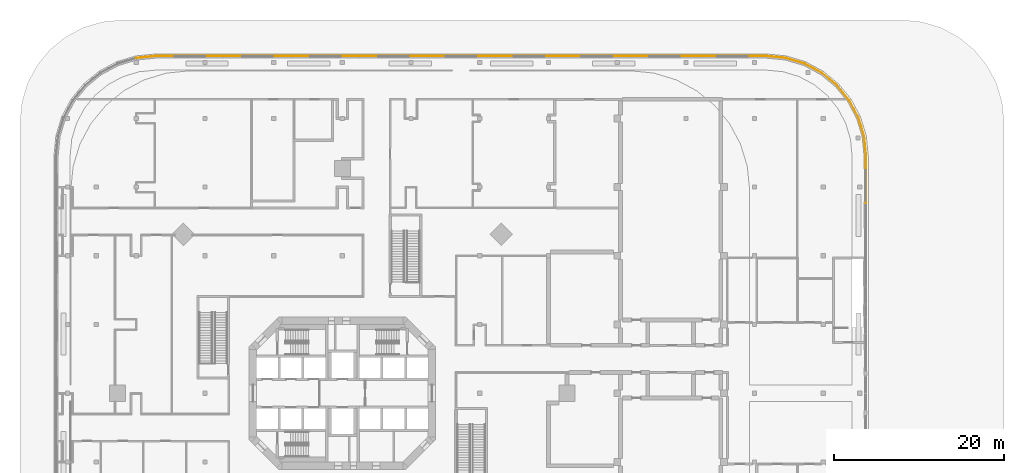
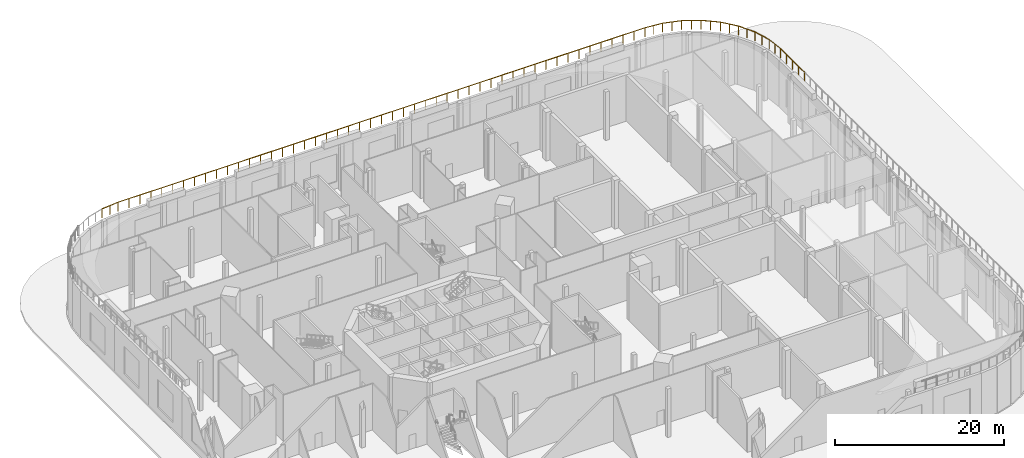
# One storey, part 21 of 21: 22 railings.
"""IFC4 building model written with IfcOpenShell, lengths in metres."""

from ifc_helpers import new_model, si_unit, direction, frame, origin, origin_2d, place, context, subcontext, project, spatial, rectangle, extrude, material, type_object, element, save


model = new_model("IFC4")

# Units and contexts
model_context = context("Model", 3, precision=1e-05, world=origin(), true_north=direction((0.0, 1.0)))
body_context = subcontext(model_context, "Body", "Model", "MODEL_VIEW")
ifc_project = project(units=[si_unit("LENGTHUNIT", "METRE"), si_unit("AREAUNIT", "SQUARE_METRE"), si_unit("VOLUMEUNIT", "CUBIC_METRE"), si_unit("PLANEANGLEUNIT", "RADIAN"), si_unit("MASSUNIT", "GRAM", prefix="KILO")], contexts=[model_context])

# Site, building, storey
site_placement = place(None, origin())
site = spatial("IfcSite", under=ifc_project, at=site_placement, CompositionType="ELEMENT")
building_placement = place(site_placement, origin())
building = spatial("IfcBuilding", under=site, at=building_placement, Name="Torre Triforio", CompositionType="ELEMENT")
storey_placement = place(building_placement, frame((0.0, 0.0, 6.0)))
storey = spatial("IfcBuildingStorey", under=building, at=storey_placement, Name="L01", CompositionType="ELEMENT", Elevation=6.0)

# Railings
ifc_material = material(Name="Stainless steel AISI 316", Category="steel")
railing_type = type_object("IfcRailingType", Name="Terrace balustrade 1300", PredefinedType="BALUSTRADE", material=ifc_material)
railing_1_placement = place(storey_placement, frame((61.75, 22.39013671875, 7.0)))
element("IfcRailing", 1, at=railing_1_placement, inside=storey, type_object=railing_type, Name="Terrace T2 balustrade 09.10", PredefinedType="BALUSTRADE", context=body_context, shape_type="SweptSolid", body=[
    extrude(rectangle(XDim=0.050048828125, YDim=0.050048828125, at=origin_2d()), frame((0.0, 0.0, 1.27490234375), z_axis=(0.0, 1.0, 0.0), x_axis=(-1.0, 0.0, 0.0)), (0.0, 0.0, 1.0), 5.59765625),
    extrude(rectangle(XDim=0.0400390625, YDim=0.0400390625, at=origin_2d()), origin(), (0.0, 0.0, 1.0), 1.25),
    extrude(rectangle(XDim=0.0400390625, YDim=0.0400390625, at=origin_2d()), frame((0.0, 1.3994140625, 0.0)), (0.0, 0.0, 1.0), 1.25),
    extrude(rectangle(XDim=0.0400390625, YDim=0.0400390625, at=origin_2d()), frame((0.0, 2.798828125, 0.0)), (0.0, 0.0, 1.0), 1.25),
    extrude(rectangle(XDim=0.0400390625, YDim=0.0400390625, at=origin_2d()), frame((0.0, 4.1982421875, 0.0)), (0.0, 0.0, 1.0), 1.25),
    extrude(rectangle(XDim=0.0400390625, YDim=0.0400390625, at=origin_2d()), frame((0.0, 5.59765625, 0.0)), (0.0, 0.0, 1.0), 1.25),
])
railing_2_placement = place(storey_placement, frame((61.75, 27.98779296875, 7.0)))
element("IfcRailing", 2, at=railing_2_placement, inside=storey, type_object=railing_type, Name="Terrace T2 balustrade 10", PredefinedType="BALUSTRADE", context=body_context, shape_type="SweptSolid", body=[
    extrude(rectangle(XDim=0.050048828125, YDim=0.050048828125, at=origin_2d()), frame((0.0, 0.0, 1.27490234375), z_axis=(-0.098062895086, 0.99518021916, 0.0), x_axis=(-0.99518021916, -0.098062895086, 0.0)), (0.0, 0.0, 1.0), 2.3154296875),
    extrude(rectangle(XDim=0.0400390625, YDim=0.0400390625, at=origin_2d()), origin(), (0.0, 0.0, 1.0), 1.25),
    extrude(rectangle(XDim=0.0400390625, YDim=0.0400390625, at=origin_2d()), frame((-0.113525390625, 1.152099609375, 0.0)), (0.0, 0.0, 1.0), 1.25),
    extrude(rectangle(XDim=0.0400390625, YDim=0.0400390625, at=origin_2d()), frame((-0.22705078125, 2.30419921875, 0.0)), (0.0, 0.0, 1.0), 1.25),
])
railing_3_placement = place(storey_placement, frame((61.52294921875, 30.2919921875, 7.0)))
element("IfcRailing", 3, at=railing_3_placement, inside=storey, type_object=railing_type, Name="Terrace T2 balustrade 11", PredefinedType="BALUSTRADE", context=body_context, shape_type="SweptSolid", body=[
    extrude(rectangle(XDim=0.050048828125, YDim=0.050048828125, at=origin_2d()), frame((0.0, 0.0, 1.27490234375), z_axis=(-0.290225091232, 0.956958408929, 0.0), x_axis=(-0.956958408929, -0.290225091232, 0.0)), (0.0, 0.0, 1.0), 2.30322265625),
    extrude(rectangle(XDim=0.0400390625, YDim=0.0400390625, at=origin_2d()), origin(), (0.0, 0.0, 1.0), 1.25),
    extrude(rectangle(XDim=0.0400390625, YDim=0.0400390625, at=origin_2d()), frame((-0.334228515625, 1.10205078125, 0.0)), (0.0, 0.0, 1.0), 1.25),
    extrude(rectangle(XDim=0.0400390625, YDim=0.0400390625, at=origin_2d()), frame((-0.66845703125, 2.2041015625, 0.0)), (0.0, 0.0, 1.0), 1.25),
])
railing_4_placement = place(storey_placement, frame((60.8544921875, 32.49609375, 7.0)))
element("IfcRailing", 4, at=railing_4_placement, inside=storey, type_object=railing_type, Name="Terrace T2 balustrade 12", PredefinedType="BALUSTRADE", context=body_context, shape_type="SweptSolid", body=[
    extrude(rectangle(XDim=0.050048828125, YDim=0.050048828125, at=origin_2d()), frame((0.0, 0.0, 1.27490234375), z_axis=(-0.471385800251, 0.881927109982, 0.0), x_axis=(-0.881927109982, -0.471385800251, 0.0)), (0.0, 0.0, 1.0), 2.30322265625),
    extrude(rectangle(XDim=0.0400390625, YDim=0.0400390625, at=origin_2d()), origin(), (0.0, 0.0, 1.0), 1.25),
    extrude(rectangle(XDim=0.0400390625, YDim=0.0400390625, at=origin_2d()), frame((-0.54296875, 1.015625, 0.0)), (0.0, 0.0, 1.0), 1.25),
    extrude(rectangle(XDim=0.0400390625, YDim=0.0400390625, at=origin_2d()), frame((-1.085693359375, 2.03125, 0.0)), (0.0, 0.0, 1.0), 1.25),
])
railing_5_placement = place(storey_placement, frame((59.768798828125, 34.52734375, 7.0)))
element("IfcRailing", 5, at=railing_5_placement, inside=storey, type_object=railing_type, Name="Terrace T2 balustrade 13", PredefinedType="BALUSTRADE", context=body_context, shape_type="SweptSolid", body=[
    extrude(rectangle(XDim=0.050048828125, YDim=0.050048828125, at=origin_2d()), frame((0.0, 0.0, 1.27490234375), z_axis=(-0.634431938273, 0.772978729137, 0.0), x_axis=(-0.772978729137, -0.634431938273, 0.0)), (0.0, 0.0, 1.0), 2.30322265625),
    extrude(rectangle(XDim=0.0400390625, YDim=0.0400390625, at=origin_2d()), origin(), (0.0, 0.0, 1.0), 1.25),
    extrude(rectangle(XDim=0.0400390625, YDim=0.0400390625, at=origin_2d()), frame((-0.73046875, 0.89013671875, 0.0)), (0.0, 0.0, 1.0), 1.25),
    extrude(rectangle(XDim=0.0400390625, YDim=0.0400390625, at=origin_2d()), frame((-1.461181640625, 1.7802734375, 0.0)), (0.0, 0.0, 1.0), 1.25),
])
railing_6_placement = place(storey_placement, frame((58.3076171875, 36.3076171875, 7.0)))
element("IfcRailing", 6, at=railing_6_placement, inside=storey, type_object=railing_type, Name="Terrace T2 balustrade 14", PredefinedType="BALUSTRADE", context=body_context, shape_type="SweptSolid", body=[
    extrude(rectangle(XDim=0.050048828125, YDim=0.050048828125, at=origin_2d()), frame((0.0, 0.0, 1.27490234375), z_axis=(-0.772978729137, 0.634431938273, 0.0), x_axis=(-0.634431938273, -0.772978729137, 0.0)), (0.0, 0.0, 1.0), 2.30322265625),
    extrude(rectangle(XDim=0.0400390625, YDim=0.0400390625, at=origin_2d()), origin(), (0.0, 0.0, 1.0), 1.25),
    extrude(rectangle(XDim=0.0400390625, YDim=0.0400390625, at=origin_2d()), frame((-0.89013671875, 0.73046875, 0.0)), (0.0, 0.0, 1.0), 1.25),
    extrude(rectangle(XDim=0.0400390625, YDim=0.0400390625, at=origin_2d()), frame((-1.7802734375, 1.461181640625, 0.0)), (0.0, 0.0, 1.0), 1.25),
])
railing_7_placement = place(storey_placement, frame((56.52734375, 37.768798828125, 7.0)))
element("IfcRailing", 7, at=railing_7_placement, inside=storey, type_object=railing_type, Name="Terrace T2 balustrade 15", PredefinedType="BALUSTRADE", context=body_context, shape_type="SweptSolid", body=[
    extrude(rectangle(XDim=0.050048828125, YDim=0.050048828125, at=origin_2d()), frame((0.0, 0.0, 1.27490234375), z_axis=(-0.881927109982, 0.471385800251, 0.0), x_axis=(-0.471385800251, -0.881927109982, 0.0)), (0.0, 0.0, 1.0), 2.30322265625),
    extrude(rectangle(XDim=0.0400390625, YDim=0.0400390625, at=origin_2d()), origin(), (0.0, 0.0, 1.0), 1.25),
    extrude(rectangle(XDim=0.0400390625, YDim=0.0400390625, at=origin_2d()), frame((-1.015625, 0.54296875, 0.0)), (0.0, 0.0, 1.0), 1.25),
    extrude(rectangle(XDim=0.0400390625, YDim=0.0400390625, at=origin_2d()), frame((-2.03125, 1.085693359375, 0.0)), (0.0, 0.0, 1.0), 1.25),
])
railing_8_placement = place(storey_placement, frame((54.49609375, 38.8544921875, 7.0)))
element("IfcRailing", 8, at=railing_8_placement, inside=storey, type_object=railing_type, Name="Terrace T2 balustrade 16", PredefinedType="BALUSTRADE", context=body_context, shape_type="SweptSolid", body=[
    extrude(rectangle(XDim=0.050048828125, YDim=0.050048828125, at=origin_2d()), frame((0.0, 0.0, 1.27490234375), z_axis=(-0.956958408929, 0.290225091232, 0.0), x_axis=(-0.290225091232, -0.956958408929, 0.0)), (0.0, 0.0, 1.0), 2.30322265625),
    extrude(rectangle(XDim=0.0400390625, YDim=0.0400390625, at=origin_2d()), origin(), (0.0, 0.0, 1.0), 1.25),
    extrude(rectangle(XDim=0.0400390625, YDim=0.0400390625, at=origin_2d()), frame((-1.10205078125, 0.334228515625, 0.0)), (0.0, 0.0, 1.0), 1.25),
    extrude(rectangle(XDim=0.0400390625, YDim=0.0400390625, at=origin_2d()), frame((-2.2041015625, 0.66845703125, 0.0)), (0.0, 0.0, 1.0), 1.25),
])
railing_9_placement = place(storey_placement, frame((52.2919921875, 39.52294921875, 7.0)))
element("IfcRailing", 9, at=railing_9_placement, inside=storey, type_object=railing_type, Name="Terrace T2 balustrade 17", PredefinedType="BALUSTRADE", context=body_context, shape_type="SweptSolid", body=[
    extrude(rectangle(XDim=0.050048828125, YDim=0.050048828125, at=origin_2d()), frame((0.0, 0.0, 1.27490234375), z_axis=(-0.99518021916, 0.098062895086, 0.0), x_axis=(-0.098062895086, -0.99518021916, 0.0)), (0.0, 0.0, 1.0), 2.3154296875),
    extrude(rectangle(XDim=0.0400390625, YDim=0.0400390625, at=origin_2d()), origin(), (0.0, 0.0, 1.0), 1.25),
    extrude(rectangle(XDim=0.0400390625, YDim=0.0400390625, at=origin_2d()), frame((-1.152099609375, 0.113525390625, 0.0)), (0.0, 0.0, 1.0), 1.25),
    extrude(rectangle(XDim=0.0400390625, YDim=0.0400390625, at=origin_2d()), frame((-2.30419921875, 0.22705078125, 0.0)), (0.0, 0.0, 1.0), 1.25),
])
for number, where, name in (
    (10, (49.98779296875, 39.75, 7.0), "Terrace T2 balustrade 18.1"),
    (11, (43.98974609375, 39.75, 7.0), "Terrace T2 balustrade 18.2"),
):
    element("IfcRailing", number, at=place(storey_placement, frame(where)), inside=storey, type_object=railing_type, Name=name, PredefinedType="BALUSTRADE", context=body_context, shape_type="SweptSolid", body=[
        extrude(rectangle(XDim=0.050048828125, YDim=0.050048828125, at=origin_2d()), frame((0.0, 0.0, 1.27490234375), z_axis=(-1.0, 0.0, 0.0), x_axis=(0.0, -1.0, 0.0)), (0.0, 0.0, 1.0), 5.998046875),
        extrude(rectangle(XDim=0.0400390625, YDim=0.0400390625, at=origin_2d()), origin(), (0.0, 0.0, 1.0), 1.25),
        extrude(rectangle(XDim=0.0400390625, YDim=0.0400390625, at=origin_2d()), frame((-1.49951171875, 0.0, 0.0)), (0.0, 0.0, 1.0), 1.25),
        extrude(rectangle(XDim=0.0400390625, YDim=0.0400390625, at=origin_2d()), frame((-2.9990234375, 0.0, 0.0)), (0.0, 0.0, 1.0), 1.25),
        extrude(rectangle(XDim=0.0400390625, YDim=0.0400390625, at=origin_2d()), frame((-4.49853515625, 0.0, 0.0)), (0.0, 0.0, 1.0), 1.25),
        extrude(rectangle(XDim=0.0400390625, YDim=0.0400390625, at=origin_2d()), frame((-5.998046875, 0.0, 0.0)), (0.0, 0.0, 1.0), 1.25),
    ])
railing_10_placement = place(storey_placement, frame((37.99169921875, 39.75, 7.0)))
element("IfcRailing", 12, at=railing_10_placement, inside=storey, type_object=railing_type, Name="Terrace T2 balustrade 18.3", PredefinedType="BALUSTRADE", context=body_context, shape_type="SweptSolid", body=[
    extrude(rectangle(XDim=0.050048828125, YDim=0.050048828125, at=origin_2d()), frame((0.0, 0.0, 1.27490234375), z_axis=(-1.0, 0.0, 0.0), x_axis=(0.0, -1.0, 0.0)), (0.0, 0.0, 1.0), 5.997802734375),
    extrude(rectangle(XDim=0.0400390625, YDim=0.0400390625, at=origin_2d()), origin(), (0.0, 0.0, 1.0), 1.25),
    extrude(rectangle(XDim=0.0400390625, YDim=0.0400390625, at=origin_2d()), frame((-1.49951171875, 0.0, 0.0)), (0.0, 0.0, 1.0), 1.25),
    extrude(rectangle(XDim=0.0400390625, YDim=0.0400390625, at=origin_2d()), frame((-2.9990234375, 0.0, 0.0)), (0.0, 0.0, 1.0), 1.25),
    extrude(rectangle(XDim=0.0400390625, YDim=0.0400390625, at=origin_2d()), frame((-4.498291015625, 0.0, 0.0)), (0.0, 0.0, 1.0), 1.25),
    extrude(rectangle(XDim=0.0400390625, YDim=0.0400390625, at=origin_2d()), frame((-5.997802734375, 0.0, 0.0)), (0.0, 0.0, 1.0), 1.25),
])
railing_11_placement = place(storey_placement, frame((31.993896484375, 39.75, 7.0)))
element("IfcRailing", 13, at=railing_11_placement, inside=storey, type_object=railing_type, Name="Terrace T2 balustrade 18.4", PredefinedType="BALUSTRADE", context=body_context, shape_type="SweptSolid", body=[
    extrude(rectangle(XDim=0.050048828125, YDim=0.050048828125, at=origin_2d()), frame((0.0, 0.0, 1.27490234375), z_axis=(-1.0, 0.0, 0.0), x_axis=(0.0, -1.0, 0.0)), (0.0, 0.0, 1.0), 5.998046875),
    extrude(rectangle(XDim=0.0400390625, YDim=0.0400390625, at=origin_2d()), origin(), (0.0, 0.0, 1.0), 1.25),
    extrude(rectangle(XDim=0.0400390625, YDim=0.0400390625, at=origin_2d()), frame((-1.49951171875, 0.0, 0.0)), (0.0, 0.0, 1.0), 1.25),
    extrude(rectangle(XDim=0.0400390625, YDim=0.0400390625, at=origin_2d()), frame((-2.9990234375, 0.0, 0.0)), (0.0, 0.0, 1.0), 1.25),
    extrude(rectangle(XDim=0.0400390625, YDim=0.0400390625, at=origin_2d()), frame((-4.49853515625, 0.0, 0.0)), (0.0, 0.0, 1.0), 1.25),
    extrude(rectangle(XDim=0.0400390625, YDim=0.0400390625, at=origin_2d()), frame((-5.998046875, 0.0, 0.0)), (0.0, 0.0, 1.0), 1.25),
])
railing_12_placement = place(storey_placement, frame((25.995849609375, 39.75, 7.0)))
element("IfcRailing", 14, at=railing_12_placement, inside=storey, type_object=railing_type, Name="Terrace T2 balustrade 18.5", PredefinedType="BALUSTRADE", context=body_context, shape_type="SweptSolid", body=[
    extrude(rectangle(XDim=0.050048828125, YDim=0.050048828125, at=origin_2d()), frame((0.0, 0.0, 1.27490234375), z_axis=(-1.0, 0.0, 0.0), x_axis=(0.0, -1.0, 0.0)), (0.0, 0.0, 1.0), 5.997802734375),
    extrude(rectangle(XDim=0.0400390625, YDim=0.0400390625, at=origin_2d()), origin(), (0.0, 0.0, 1.0), 1.25),
    extrude(rectangle(XDim=0.0400390625, YDim=0.0400390625, at=origin_2d()), frame((-1.49951171875, 0.0, 0.0)), (0.0, 0.0, 1.0), 1.25),
    extrude(rectangle(XDim=0.0400390625, YDim=0.0400390625, at=origin_2d()), frame((-2.9990234375, 0.0, 0.0)), (0.0, 0.0, 1.0), 1.25),
    extrude(rectangle(XDim=0.0400390625, YDim=0.0400390625, at=origin_2d()), frame((-4.498291015625, 0.0, 0.0)), (0.0, 0.0, 1.0), 1.25),
    extrude(rectangle(XDim=0.0400390625, YDim=0.0400390625, at=origin_2d()), frame((-5.997802734375, 0.0, 0.0)), (0.0, 0.0, 1.0), 1.25),
])
for number, where, name in (
    (15, (19.998046875, 39.75, 7.0), "Terrace T2 balustrade 18.6"),
    (16, (14.0, 39.75, 7.0), "Terrace T2 balustrade 18.7"),
):
    element("IfcRailing", number, at=place(storey_placement, frame(where)), inside=storey, type_object=railing_type, Name=name, PredefinedType="BALUSTRADE", context=body_context, shape_type="SweptSolid", body=[
        extrude(rectangle(XDim=0.050048828125, YDim=0.050048828125, at=origin_2d()), frame((0.0, 0.0, 1.27490234375), z_axis=(-1.0, 0.0, 0.0), x_axis=(0.0, -1.0, 0.0)), (0.0, 0.0, 1.0), 5.998046875),
        extrude(rectangle(XDim=0.0400390625, YDim=0.0400390625, at=origin_2d()), origin(), (0.0, 0.0, 1.0), 1.25),
        extrude(rectangle(XDim=0.0400390625, YDim=0.0400390625, at=origin_2d()), frame((-1.49951171875, 0.0, 0.0)), (0.0, 0.0, 1.0), 1.25),
        extrude(rectangle(XDim=0.0400390625, YDim=0.0400390625, at=origin_2d()), frame((-2.9990234375, 0.0, 0.0)), (0.0, 0.0, 1.0), 1.25),
        extrude(rectangle(XDim=0.0400390625, YDim=0.0400390625, at=origin_2d()), frame((-4.49853515625, 0.0, 0.0)), (0.0, 0.0, 1.0), 1.25),
        extrude(rectangle(XDim=0.0400390625, YDim=0.0400390625, at=origin_2d()), frame((-5.998046875, 0.0, 0.0)), (0.0, 0.0, 1.0), 1.25),
    ])
railing_13_placement = place(storey_placement, frame((8.001953125, 39.75, 7.0)))
element("IfcRailing", 17, at=railing_13_placement, inside=storey, type_object=railing_type, Name="Terrace T2 balustrade 18.8", PredefinedType="BALUSTRADE", context=body_context, shape_type="SweptSolid", body=[
    extrude(rectangle(XDim=0.050048828125, YDim=0.050048828125, at=origin_2d()), frame((0.0, 0.0, 1.27490234375), z_axis=(-1.0, 0.0, 0.0), x_axis=(0.0, -1.0, 0.0)), (0.0, 0.0, 1.0), 5.997802734375),
    extrude(rectangle(XDim=0.0400390625, YDim=0.0400390625, at=origin_2d()), origin(), (0.0, 0.0, 1.0), 1.25),
    extrude(rectangle(XDim=0.0400390625, YDim=0.0400390625, at=origin_2d()), frame((-1.49951171875, 0.0, 0.0)), (0.0, 0.0, 1.0), 1.25),
    extrude(rectangle(XDim=0.0400390625, YDim=0.0400390625, at=origin_2d()), frame((-2.9990234375, 0.0, 0.0)), (0.0, 0.0, 1.0), 1.25),
    extrude(rectangle(XDim=0.0400390625, YDim=0.0400390625, at=origin_2d()), frame((-4.498291015625, 0.0, 0.0)), (0.0, 0.0, 1.0), 1.25),
    extrude(rectangle(XDim=0.0400390625, YDim=0.0400390625, at=origin_2d()), frame((-5.997802734375, 0.0, 0.0)), (0.0, 0.0, 1.0), 1.25),
])
railing_14_placement = place(storey_placement, frame((2.004150390625, 39.75, 7.0)))
element("IfcRailing", 18, at=railing_14_placement, inside=storey, type_object=railing_type, Name="Terrace T2 balustrade 18.9", PredefinedType="BALUSTRADE", context=body_context, shape_type="SweptSolid", body=[
    extrude(rectangle(XDim=0.050048828125, YDim=0.050048828125, at=origin_2d()), frame((0.0, 0.0, 1.27490234375), z_axis=(-1.0, 0.0, 0.0), x_axis=(0.0, -1.0, 0.0)), (0.0, 0.0, 1.0), 5.998046875),
    extrude(rectangle(XDim=0.0400390625, YDim=0.0400390625, at=origin_2d()), origin(), (0.0, 0.0, 1.0), 1.25),
    extrude(rectangle(XDim=0.0400390625, YDim=0.0400390625, at=origin_2d()), frame((-1.49951171875, 0.0, 0.0)), (0.0, 0.0, 1.0), 1.25),
    extrude(rectangle(XDim=0.0400390625, YDim=0.0400390625, at=origin_2d()), frame((-2.9990234375, 0.0, 0.0)), (0.0, 0.0, 1.0), 1.25),
    extrude(rectangle(XDim=0.0400390625, YDim=0.0400390625, at=origin_2d()), frame((-4.49853515625, 0.0, 0.0)), (0.0, 0.0, 1.0), 1.25),
    extrude(rectangle(XDim=0.0400390625, YDim=0.0400390625, at=origin_2d()), frame((-5.998046875, 0.0, 0.0)), (0.0, 0.0, 1.0), 1.25),
])
railing_15_placement = place(storey_placement, frame((-3.993896484375, 39.75, 7.0)))
element("IfcRailing", 19, at=railing_15_placement, inside=storey, type_object=railing_type, Name="Terrace T2 balustrade 18.10", PredefinedType="BALUSTRADE", context=body_context, shape_type="SweptSolid", body=[
    extrude(rectangle(XDim=0.050048828125, YDim=0.050048828125, at=origin_2d()), frame((0.0, 0.0, 1.27490234375), z_axis=(-1.0, 0.0, 0.0), x_axis=(0.0, -1.0, 0.0)), (0.0, 0.0, 1.0), 5.997802734375),
    extrude(rectangle(XDim=0.0400390625, YDim=0.0400390625, at=origin_2d()), origin(), (0.0, 0.0, 1.0), 1.25),
    extrude(rectangle(XDim=0.0400390625, YDim=0.0400390625, at=origin_2d()), frame((-1.49951171875, 0.0, 0.0)), (0.0, 0.0, 1.0), 1.25),
    extrude(rectangle(XDim=0.0400390625, YDim=0.0400390625, at=origin_2d()), frame((-2.9990234375, 0.0, 0.0)), (0.0, 0.0, 1.0), 1.25),
    extrude(rectangle(XDim=0.0400390625, YDim=0.0400390625, at=origin_2d()), frame((-4.498291015625, 0.0, 0.0)), (0.0, 0.0, 1.0), 1.25),
    extrude(rectangle(XDim=0.0400390625, YDim=0.0400390625, at=origin_2d()), frame((-5.997802734375, 0.0, 0.0)), (0.0, 0.0, 1.0), 1.25),
])
for number, where, name in (
    (20, (-9.99169921875, 39.75, 7.0), "Terrace T2 balustrade 18.11"),
    (21, (-15.98974609375, 39.75, 7.0), "Terrace T2 balustrade 18.12"),
):
    element("IfcRailing", number, at=place(storey_placement, frame(where)), inside=storey, type_object=railing_type, Name=name, PredefinedType="BALUSTRADE", context=body_context, shape_type="SweptSolid", body=[
        extrude(rectangle(XDim=0.050048828125, YDim=0.050048828125, at=origin_2d()), frame((0.0, 0.0, 1.27490234375), z_axis=(-1.0, 0.0, 0.0), x_axis=(0.0, -1.0, 0.0)), (0.0, 0.0, 1.0), 5.998046875),
        extrude(rectangle(XDim=0.0400390625, YDim=0.0400390625, at=origin_2d()), origin(), (0.0, 0.0, 1.0), 1.25),
        extrude(rectangle(XDim=0.0400390625, YDim=0.0400390625, at=origin_2d()), frame((-1.49951171875, 0.0, 0.0)), (0.0, 0.0, 1.0), 1.25),
        extrude(rectangle(XDim=0.0400390625, YDim=0.0400390625, at=origin_2d()), frame((-2.9990234375, 0.0, 0.0)), (0.0, 0.0, 1.0), 1.25),
        extrude(rectangle(XDim=0.0400390625, YDim=0.0400390625, at=origin_2d()), frame((-4.49853515625, 0.0, 0.0)), (0.0, 0.0, 1.0), 1.25),
        extrude(rectangle(XDim=0.0400390625, YDim=0.0400390625, at=origin_2d()), frame((-5.998046875, 0.0, 0.0)), (0.0, 0.0, 1.0), 1.25),
    ])
railing_16_placement = place(storey_placement, frame((-21.98779296875, 39.75, 7.0)))
element("IfcRailing", 22, at=railing_16_placement, inside=storey, type_object=railing_type, Name="Terrace T2 balustrade 19", PredefinedType="BALUSTRADE", context=body_context, shape_type="SweptSolid", body=[
    extrude(rectangle(XDim=0.050048828125, YDim=0.050048828125, at=origin_2d()), frame((0.0, 0.0, 1.27490234375), z_axis=(-0.99518021916, -0.098062895086, 0.0), x_axis=(0.098062895086, -0.99518021916, 0.0)), (0.0, 0.0, 1.0), 2.3154296875),
    extrude(rectangle(XDim=0.0400390625, YDim=0.0400390625, at=origin_2d()), origin(), (0.0, 0.0, 1.0), 1.25),
    extrude(rectangle(XDim=0.0400390625, YDim=0.0400390625, at=origin_2d()), frame((-1.152099609375, -0.113525390625, 0.0)), (0.0, 0.0, 1.0), 1.25),
    extrude(rectangle(XDim=0.0400390625, YDim=0.0400390625, at=origin_2d()), frame((-2.30419921875, -0.22705078125, 0.0)), (0.0, 0.0, 1.0), 1.25),
])

save(model, "model.ifc")
